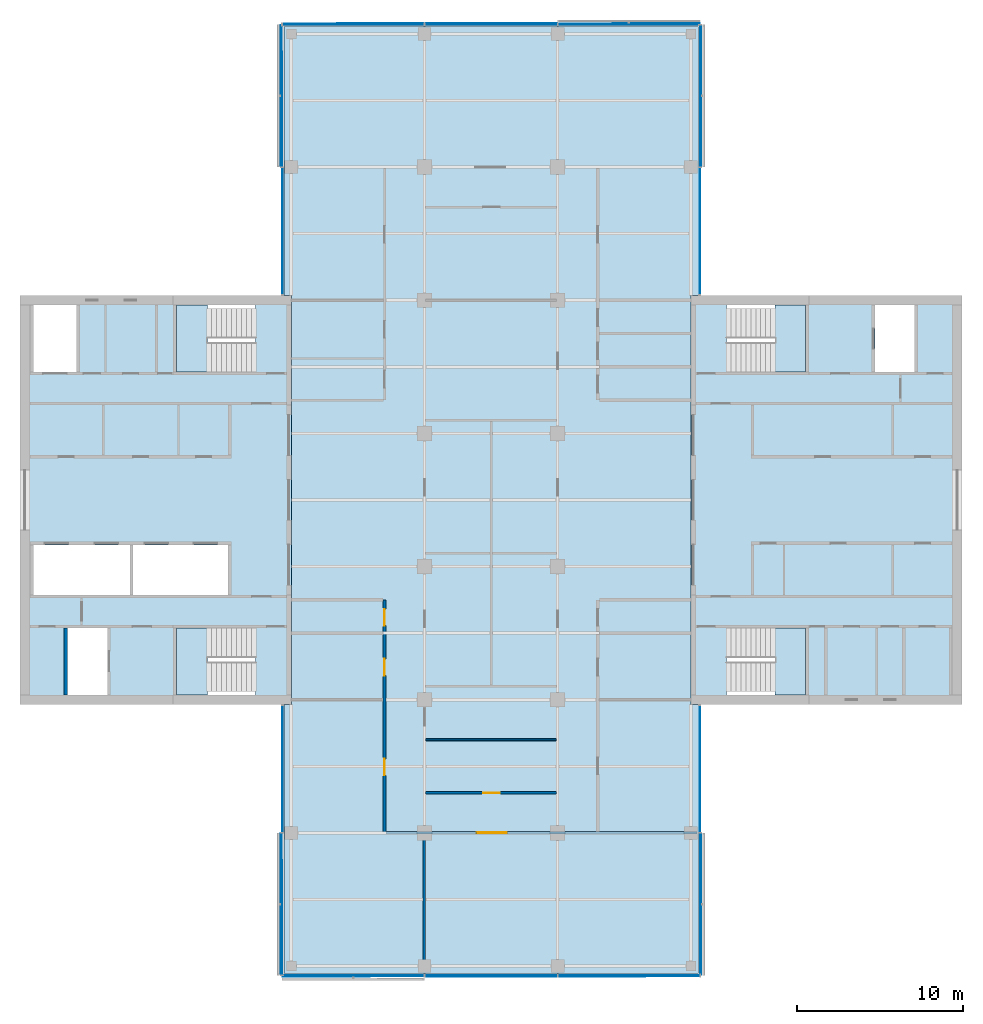
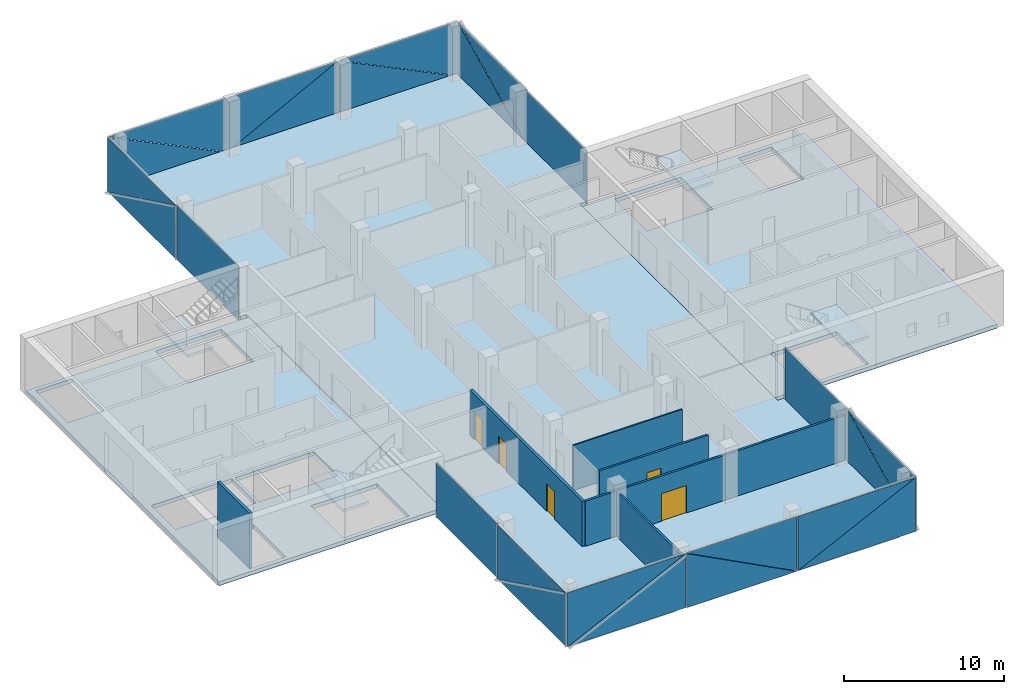
# One storey, part 8 of 16: 24 plates, 7 slabs, 6 walls, 5 doors, 5 openings, 14 elements without a shape of their own.
"""IFC4 building model written with IfcOpenShell, lengths in metres."""

from ifc_helpers import new_model, si_unit, direction, frame, frame_2d, origin, place, context, subcontext, project, spatial, polyline, rectangle, outline, extrude, material, layer, layer_set, type_object, element, fill, aggregate, save


model = new_model("IFC4")

# Units and contexts
model_context = context("Model", 3, precision=1e-05, world=origin(), true_north=direction((0.0, 1.0)))
body_context = subcontext(model_context, "Body", "Model", "MODEL_VIEW")
ifc_project = project(units=[si_unit("LENGTHUNIT", "METRE"), si_unit("AREAUNIT", "SQUARE_METRE"), si_unit("VOLUMEUNIT", "CUBIC_METRE"), si_unit("PLANEANGLEUNIT", "RADIAN"), si_unit("MASSUNIT", "GRAM", prefix="KILO")], contexts=[model_context])

# Site, building, storey
site_placement = place(None, origin())
site = spatial("IfcSite", under=ifc_project, at=site_placement, CompositionType="ELEMENT")
building_placement = place(site_placement, origin())
building = spatial("IfcBuilding", under=site, at=building_placement, Name="Crosswind Convention Tower", CompositionType="ELEMENT")
storey_placement = place(building_placement, frame((0.0, 0.0, 208.300048828125)))
storey = spatial("IfcBuildingStorey", under=building, at=storey_placement, Name="L44", CompositionType="ELEMENT", Elevation=208.300048828125)

# Slabs
ifc_material_1 = material(Name="Concrete C40/50", Category="concrete")
ifc_layer_1 = layer(ifc_material_1, 0.300048828125)
ifc_layer_set_1 = layer_set([ifc_layer_1], Name="Concrete C40/50")
slab_type_1 = type_object("IfcSlabType", Name="Composite floor slab 300", PredefinedType="FLOOR", material=ifc_layer_set_1)
slab_1_placement = place(storey_placement, frame((0.0, 0.0, -0.300048828125)))
element("IfcSlab", 1, at=slab_1_placement, inside=storey, type_object=slab_type_1, Name="Floor slab L44", PredefinedType="FLOOR", context=body_context, shape_type="SweptSolid", body=[
    extrude(outline(polyline([(137.449951171875, 71.550048828125), (137.0, 71.550048828125), (113.0, 71.550048828125), (112.550048828125, 71.550048828125), (112.550048828125, 72.0), (112.550048828125, 87.699951171875), (113.0, 87.699951171875), (113.0, 112.300048828125), (112.550048828125, 112.300048828125), (112.550048828125, 128.0), (112.550048828125, 128.449951171875), (113.0, 128.449951171875), (137.0, 128.449951171875), (137.449951171875, 128.449951171875), (137.449951171875, 128.0), (137.449951171875, 112.300048828125), (137.0, 112.300048828125), (137.0, 87.699951171875), (137.449951171875, 87.699951171875), (137.449951171875, 72.0), (137.449951171875, 71.550048828125)])), origin(), (0.0, 0.0, 1.0), 0.300048828125),
])
ifc_layer_2 = layer(ifc_material_1, 0.300048828125)
ifc_layer_set_2 = layer_set([ifc_layer_2], Name="Concrete C40/50")
slab_type_2 = type_object("IfcSlabType", Name="Concrete core floor slab 300", PredefinedType="FLOOR", material=ifc_layer_set_2)
slab_2_placement = place(storey_placement, frame((0.0, 0.0, -0.300048828125)))
element("IfcSlab", 2, at=slab_2_placement, inside=storey, type_object=slab_type_2, Name="Core floor slab E L44", PredefinedType="FLOOR", context=body_context, shape_type="SweptSolid", body=[
    extrude(outline(polyline([(137.0, 88.0), (153.0, 88.0), (153.0, 112.0), (137.0, 112.0), (137.0, 88.0)]), holes=[polyline([(150.449951171875, 107.699951171875), (150.449951171875, 111.699951171875), (148.050048828125, 111.699951171875), (148.050048828125, 107.699951171875), (150.449951171875, 107.699951171875)]), polyline([(143.89990234375, 107.699951171875), (143.89990234375, 111.699951171875), (139.14990234375, 111.699951171875), (139.14990234375, 107.699951171875), (143.89990234375, 107.699951171875)]), polyline([(143.89990234375, 88.300048828125), (143.89990234375, 92.300048828125), (139.14990234375, 92.300048828125), (139.14990234375, 88.300048828125), (143.89990234375, 88.300048828125)])]), origin(), (0.0, 0.0, 1.0), 0.300048828125),
])
slab_3_placement = place(storey_placement, frame((0.0, 0.0, -0.300048828125)))
element("IfcSlab", 3, at=slab_3_placement, inside=storey, type_object=slab_type_2, Name="Core floor slab W L44", PredefinedType="FLOOR", context=body_context, shape_type="SweptSolid", body=[
    extrude(outline(polyline([(97.0, 88.0), (113.0, 88.0), (113.0, 112.0), (97.0, 112.0), (97.0, 88.0)]), holes=[polyline([(109.199951171875, 94.300048828125), (109.199951171875, 97.300048828125), (103.5, 97.300048828125), (103.5, 94.300048828125), (109.199951171875, 94.300048828125)]), polyline([(103.300048828125, 94.300048828125), (103.300048828125, 97.300048828125), (97.5, 97.300048828125), (97.5, 94.300048828125), (103.300048828125, 94.300048828125)]), polyline([(101.949951171875, 88.300048828125), (101.949951171875, 92.300048828125), (99.550048828125, 92.300048828125), (99.550048828125, 88.300048828125), (101.949951171875, 88.300048828125)]), polyline([(100.10009765625, 107.699951171875), (100.10009765625, 111.699951171875), (97.5, 111.699951171875), (97.5, 107.699951171875), (100.10009765625, 107.699951171875)]), polyline([(110.85009765625, 88.300048828125), (110.85009765625, 92.300048828125), (106.10009765625, 92.300048828125), (106.10009765625, 88.300048828125), (110.85009765625, 88.300048828125)]), polyline([(110.85009765625, 107.699951171875), (110.85009765625, 111.699951171875), (106.10009765625, 111.699951171875), (106.10009765625, 107.699951171875), (110.85009765625, 107.699951171875)])]), origin(), (0.0, 0.0, 1.0), 0.300048828125),
])

# Stair, slab
stair_type = type_object("IfcStairType", Name="Exit stair 1800 wide, 2 flights of 11 risers", PredefinedType="HALF_TURN_STAIR", material=ifc_material_1)
stair_1_placement = place(storey_placement, origin())
stair_1 = element("IfcStair", 4, at=stair_1_placement, inside=storey, type_object=stair_type, Name="Exit stair ST1 L44", ObjectType="ST5", PredefinedType="HALF_TURN_STAIR")
ifc_layer_3 = layer(ifc_material_1, 0.199951171875)
ifc_layer_set_3 = layer_set([ifc_layer_3], Name="Concrete C40/50")
slab_type_3 = type_object("IfcSlabType", Name="Stair landing 200", PredefinedType="LANDING", material=ifc_layer_set_3)
slab_4_placement = place(storey_placement, frame((0.0, 0.0, 1.89990234375)))
slab_4 = element("IfcSlab", 5, at=slab_4_placement, type_object=slab_type_3, Name="ST1 landing 1", PredefinedType="LANDING", context=body_context, shape_type="SweptSolid", body=[
    extrude(outline(polyline([(143.89990234375, 107.699951171875), (143.89990234375, 111.699951171875), (142.050048828125, 111.699951171875), (142.050048828125, 107.699951171875), (143.89990234375, 107.699951171875)])), origin(), (0.0, 0.0, 1.0), 0.199951171875),
])
aggregate(stair_1, [slab_4])

stair_2_placement = place(storey_placement, origin())
stair_2 = element("IfcStair", 6, at=stair_2_placement, inside=storey, type_object=stair_type, Name="Exit stair ST2 L44", ObjectType="ST5", PredefinedType="HALF_TURN_STAIR")
slab_5_placement = place(storey_placement, frame((0.0, 0.0, 1.89990234375)))
slab_5 = element("IfcSlab", 7, at=slab_5_placement, type_object=slab_type_3, Name="ST2 landing 1", PredefinedType="LANDING", context=body_context, shape_type="SweptSolid", body=[
    extrude(outline(polyline([(143.89990234375, 88.300048828125), (143.89990234375, 92.300048828125), (142.050048828125, 92.300048828125), (142.050048828125, 88.300048828125), (143.89990234375, 88.300048828125)])), origin(), (0.0, 0.0, 1.0), 0.199951171875),
])
aggregate(stair_2, [slab_5])

stair_3_placement = place(storey_placement, origin())
stair_3 = element("IfcStair", 8, at=stair_3_placement, inside=storey, type_object=stair_type, Name="Exit stair ST3 L44", ObjectType="ST5", PredefinedType="HALF_TURN_STAIR")
slab_6_placement = place(storey_placement, frame((0.0, 0.0, 1.89990234375)))
slab_6 = element("IfcSlab", 9, at=slab_6_placement, type_object=slab_type_3, Name="ST3 landing 1", PredefinedType="LANDING", context=body_context, shape_type="SweptSolid", body=[
    extrude(outline(polyline([(107.949951171875, 88.300048828125), (107.949951171875, 92.300048828125), (106.10009765625, 92.300048828125), (106.10009765625, 88.300048828125), (107.949951171875, 88.300048828125)])), origin(), (0.0, 0.0, 1.0), 0.199951171875),
])
aggregate(stair_3, [slab_6])

stair_4_placement = place(storey_placement, origin())
stair_4 = element("IfcStair", 10, at=stair_4_placement, inside=storey, type_object=stair_type, Name="Exit stair ST4 L44", ObjectType="ST5", PredefinedType="HALF_TURN_STAIR")
slab_7_placement = place(storey_placement, frame((0.0, 0.0, 1.89990234375)))
slab_7 = element("IfcSlab", 11, at=slab_7_placement, type_object=slab_type_3, Name="ST4 landing 1", PredefinedType="LANDING", context=body_context, shape_type="SweptSolid", body=[
    extrude(outline(polyline([(107.949951171875, 107.699951171875), (107.949951171875, 111.699951171875), (106.10009765625, 111.699951171875), (106.10009765625, 107.699951171875), (107.949951171875, 107.699951171875)])), origin(), (0.0, 0.0, 1.0), 0.199951171875),
])
aggregate(stair_4, [slab_7])

# Curtain wall, plate
ifc_material_2 = material(Name="Aluminium unitised curtain wall", Category="aluminium")
curtain_wall_type_1 = type_object("IfcCurtainWallType", Name="CORE END SLOT WALL 160", PredefinedType="USERDEFINED", material=ifc_material_2)
curtain_wall_1_placement = place(storey_placement, origin())
curtain_wall_1 = element("IfcCurtainWall", 12, at=curtain_wall_1_placement, inside=storey, type_object=curtain_wall_type_1, Name="CW6 L44 N-E.1-1 slot", ObjectType="UNITISED", PredefinedType="USERDEFINED")
ifc_material_3 = material(Name="Laminated insulating glass unit", Category="glass")
ifc_layer_4 = layer(ifc_material_3, 0.02587890625)
ifc_layer_set_4 = layer_set([ifc_layer_4], Name="TRIANGULAR GLASS PANEL 26")
plate_type_1 = type_object("IfcPlateType", Name="TRIANGULAR GLASS PANEL 26", PredefinedType="CURTAIN_PANEL", material=ifc_layer_set_4)
plate_1_placement = place(storey_placement, frame((137.556884765625, 112.35009765625, -0.300048828125), z_axis=(0.999999915205, 0.0, 0.00041181312), x_axis=(0.0, 1.0, 0.0)))
plate_1 = element("IfcPlate", 13, at=plate_1_placement, type_object=plate_type_1, Name="CW6 panel 1.1", PredefinedType="CURTAIN_PANEL", context=body_context, shape_type="SweptSolid", body=[
    extrude(outline(polyline([(0.0, 0.0), (7.599853515625, 0.0), (7.599853515625, 4.149902695641109), (0.0, 4.149902695641109), (0.0, 0.0)])), origin(), (0.0, 0.0, -1.0), 0.02587890625),
])
aggregate(curtain_wall_1, [plate_1])

curtain_wall_2_placement = place(storey_placement, origin())
curtain_wall_2 = element("IfcCurtainWall", 14, at=curtain_wall_2_placement, inside=storey, type_object=curtain_wall_type_1, Name="CW6 L44 N-W.1-2 slot", ObjectType="UNITISED", PredefinedType="USERDEFINED")
plate_2_placement = place(storey_placement, frame((112.443115234375, 119.949951171875, -0.300048828125), z_axis=(-0.999999915205, 0.0, 0.00041181312), x_axis=(0.0, -1.0, 0.0)))
plate_2 = element("IfcPlate", 15, at=plate_2_placement, type_object=plate_type_1, Name="CW6 panel 1.1", PredefinedType="CURTAIN_PANEL", context=body_context, shape_type="SweptSolid", body=[
    extrude(outline(polyline([(0.0, 0.0), (7.599853515625, 0.0), (7.599853515625, 4.149902695641109), (0.0, 4.149902695641109), (0.0, 0.0)])), origin(), (0.0, 0.0, -1.0), 0.02587890625),
])
aggregate(curtain_wall_2, [plate_2])

curtain_wall_3_placement = place(storey_placement, origin())
curtain_wall_3 = element("IfcCurtainWall", 16, at=curtain_wall_3_placement, inside=storey, type_object=curtain_wall_type_1, Name="CW6 L44 S-W.1-1 slot", ObjectType="UNITISED", PredefinedType="USERDEFINED")
plate_3_placement = place(storey_placement, frame((112.443115234375, 87.64990234375, -0.300048828125), z_axis=(-0.999999915205, 0.0, 0.00041181312), x_axis=(0.0, -1.0, 0.0)))
plate_3 = element("IfcPlate", 17, at=plate_3_placement, type_object=plate_type_1, Name="CW6 panel 1.1", PredefinedType="CURTAIN_PANEL", context=body_context, shape_type="SweptSolid", body=[
    extrude(outline(polyline([(0.0, 0.0), (7.599853515625, 0.0), (7.599853515625, 4.149902695641109), (0.0, 4.149902695641109), (0.0, 0.0)])), origin(), (0.0, 0.0, -1.0), 0.02587890625),
])
aggregate(curtain_wall_3, [plate_3])

curtain_wall_4_placement = place(storey_placement, origin())
curtain_wall_4 = element("IfcCurtainWall", 18, at=curtain_wall_4_placement, inside=storey, type_object=curtain_wall_type_1, Name="CW6 L44 S-E.1-2 slot", ObjectType="UNITISED", PredefinedType="USERDEFINED")
plate_4_placement = place(storey_placement, frame((137.556884765625, 80.050048828125, -0.300048828125), z_axis=(0.999999915205, 0.0, 0.00041181312), x_axis=(0.0, 1.0, 0.0)))
plate_4 = element("IfcPlate", 19, at=plate_4_placement, type_object=plate_type_1, Name="CW6 panel 1.1", PredefinedType="CURTAIN_PANEL", context=body_context, shape_type="SweptSolid", body=[
    extrude(outline(polyline([(0.0, 0.0), (7.599853515625, 0.0), (7.599853515625, 4.149902695641109), (0.0, 4.149902695641109), (0.0, 0.0)])), origin(), (0.0, 0.0, -1.0), 0.02587890625),
])
aggregate(curtain_wall_4, [plate_4])

# Curtain wall, plates
curtain_wall_type_2 = type_object("IfcCurtainWallType", Name="OFFICE UNITISED WALL 220", PredefinedType="USERDEFINED", material=ifc_material_2)
curtain_wall_5_placement = place(storey_placement, origin())
curtain_wall_5 = element("IfcCurtainWall", 20, at=curtain_wall_5_placement, inside=storey, type_object=curtain_wall_type_2, Name="CW3 L44 N-E 1", ObjectType="UNITISED", PredefinedType="USERDEFINED")
ifc_layer_5 = layer(ifc_material_3, 0.031982421875)
ifc_layer_set_5 = layer_set([ifc_layer_5], Name="TRIANGULAR GLASS PANEL 32")
plate_type_2 = type_object("IfcPlateType", Name="TRIANGULAR GLASS PANEL 32", PredefinedType="CURTAIN_PANEL", material=ifc_layer_set_5)
plate_5_placement = place(storey_placement, frame((137.5927734375, 128.52490234375, -0.300048828125), z_axis=(0.999999913924, 0.0, 0.000414913129), x_axis=(-0.000414913129, 0.0, 0.999999913924)))
plate_5 = element("IfcPlate", 21, at=plate_5_placement, type_object=plate_type_2, Name="CW3 panel 1.1", PredefinedType="CURTAIN_PANEL", context=body_context, shape_type="SweptSolid", body=[
    extrude(outline(polyline([(0.0, 0.0), (4.118896838915043, 0.0), (0.0, 8.467041015624998), (0.0, 0.0)])), origin(), (0.0, 0.0, -1.0), 0.031982421875),
])
plate_6_placement = place(storey_placement, frame((137.625244140625, 120.034912109375, 3.829833984375), z_axis=(0.999999936753, 0.0, 0.000355660914), x_axis=(0.000355660914, 0.0, -0.999999936753)))
plate_6 = element("IfcPlate", 22, at=plate_6_placement, type_object=plate_type_2, Name="CW3 panel 1.2", PredefinedType="CURTAIN_PANEL", context=body_context, shape_type="SweptSolid", body=[
    extrude(outline(polyline([(0.0, 0.0), (4.1186526042438425, 0.0), (0.0, 8.467285156250002), (0.0, 0.0)])), origin(), (0.0, 0.0, -1.0), 0.031982421875),
])
aggregate(curtain_wall_5, [plate_5, plate_6])

curtain_wall_6_placement = place(storey_placement, origin())
curtain_wall_6 = element("IfcCurtainWall", 23, at=curtain_wall_6_placement, inside=storey, type_object=curtain_wall_type_2, Name="CW3 L44 N-TIP 1", ObjectType="UNITISED", PredefinedType="USERDEFINED")
plate_7_placement = place(storey_placement, frame((129.034912109375, 128.5927734375, -0.300048828125), z_axis=(0.0, 0.999999913924, 0.000414913129), x_axis=(0.0, -0.000414913129, 0.999999913924)))
plate_7 = element("IfcPlate", 24, at=plate_7_placement, type_object=plate_type_2, Name="CW3 panel 1.1", PredefinedType="CURTAIN_PANEL", context=body_context, shape_type="SweptSolid", body=[
    extrude(outline(polyline([(0.0, 0.0), (4.118896838915043, 0.0), (0.0, 8.467285156249998), (0.0, 0.0)])), origin(), (0.0, 0.0, -1.0), 0.031982421875),
])
plate_8_placement = place(storey_placement, frame((137.52490234375, 128.625244140625, 3.829833984375), z_axis=(0.0, 0.999999936753, 0.000355660914), x_axis=(0.0, 0.000355660914, -0.999999936753)))
plate_8 = element("IfcPlate", 25, at=plate_8_placement, type_object=plate_type_2, Name="CW3 panel 1.2", PredefinedType="CURTAIN_PANEL", context=body_context, shape_type="SweptSolid", body=[
    extrude(outline(polyline([(0.0, 0.0), (4.1186526042438425, 0.0), (0.0, 8.467041015625), (0.0, 0.0)])), origin(), (0.0, 0.0, -1.0), 0.031982421875),
])
plate_9_placement = place(storey_placement, frame((121.034912109375, 128.591064453125, 3.829833984375), z_axis=(0.0, 0.999999913913, 0.000414937724), x_axis=(1.0, 0.0, 0.0)))
plate_9 = element("IfcPlate", 26, at=plate_9_placement, type_object=plate_type_2, Name="CW3 panel 2.1", PredefinedType="CURTAIN_PANEL", context=body_context, shape_type="SweptSolid", body=[
    extrude(outline(polyline([(0.0, 0.0), (7.908447265625, 0.0), (0.0, 4.118652698311059), (0.0, 0.0)])), origin(), (0.0, 0.0, -1.0), 0.031982421875),
])
plate_10_placement = place(storey_placement, frame((128.965087890625, 128.626708984375, -0.300048828125), z_axis=(0.0, 0.999999936753, 0.000355660914), x_axis=(-1.0, 0.0, 0.0)))
plate_10 = element("IfcPlate", 27, at=plate_10_placement, type_object=plate_type_2, Name="CW3 panel 2.2", PredefinedType="CURTAIN_PANEL", context=body_context, shape_type="SweptSolid", body=[
    extrude(outline(polyline([(0.0, 0.0), (7.908447265625, 0.0), (0.0, 4.118652604243842), (0.0, 0.0)])), origin(), (0.0, 0.0, -1.0), 0.031982421875),
])
plate_11_placement = place(storey_placement, frame((112.47509765625, 128.5927734375, -0.300048828125), z_axis=(0.0, 0.999999913924, 0.000414913129), x_axis=(0.0, -0.000414913129, 0.999999913924)))
plate_11 = element("IfcPlate", 28, at=plate_11_placement, type_object=plate_type_2, Name="CW3 panel 3.1", PredefinedType="CURTAIN_PANEL", context=body_context, shape_type="SweptSolid", body=[
    extrude(outline(polyline([(0.0, 0.0), (4.118896838915043, 0.0), (0.0, 8.467041015624998), (0.0, 0.0)])), origin(), (0.0, 0.0, -1.0), 0.031982421875),
])
plate_12_placement = place(storey_placement, frame((120.965087890625, 128.625244140625, 3.829833984375), z_axis=(0.0, 0.999999936753, 0.000355660914), x_axis=(0.0, 0.000355660914, -0.999999936753)))
plate_12 = element("IfcPlate", 29, at=plate_12_placement, type_object=plate_type_2, Name="CW3 panel 3.2", PredefinedType="CURTAIN_PANEL", context=body_context, shape_type="SweptSolid", body=[
    extrude(outline(polyline([(0.0, 0.0), (4.1186526042438425, 0.0), (0.0, 8.467285156250002), (0.0, 0.0)])), origin(), (0.0, 0.0, -1.0), 0.031982421875),
])
aggregate(curtain_wall_6, [plate_7, plate_8, plate_9, plate_10, plate_11, plate_12])

curtain_wall_7_placement = place(storey_placement, origin())
curtain_wall_7 = element("IfcCurtainWall", 30, at=curtain_wall_7_placement, inside=storey, type_object=curtain_wall_type_2, Name="CW3 L44 N-W 1", ObjectType="UNITISED", PredefinedType="USERDEFINED")
plate_13_placement = place(storey_placement, frame((112.4072265625, 120.034912109375, -0.300048828125), z_axis=(-0.999999913924, 0.0, 0.000414913129), x_axis=(0.000414913129, 0.0, 0.999999913924)))
plate_13 = element("IfcPlate", 31, at=plate_13_placement, type_object=plate_type_2, Name="CW3 panel 1.1", PredefinedType="CURTAIN_PANEL", context=body_context, shape_type="SweptSolid", body=[
    extrude(outline(polyline([(0.0, 0.0), (4.118896838915043, 0.0), (0.0, 8.467285156249998), (0.0, 0.0)])), origin(), (0.0, 0.0, -1.0), 0.031982421875),
])
plate_14_placement = place(storey_placement, frame((112.374755859375, 128.52490234375, 3.829833984375), z_axis=(-0.999999936753, 0.0, 0.000355660914), x_axis=(-0.000355660914, 0.0, -0.999999936753)))
plate_14 = element("IfcPlate", 32, at=plate_14_placement, type_object=plate_type_2, Name="CW3 panel 1.2", PredefinedType="CURTAIN_PANEL", context=body_context, shape_type="SweptSolid", body=[
    extrude(outline(polyline([(0.0, 0.0), (4.1186526042438425, 0.0), (0.0, 8.467041015625), (0.0, 0.0)])), origin(), (0.0, 0.0, -1.0), 0.031982421875),
])
aggregate(curtain_wall_7, [plate_13, plate_14])

curtain_wall_8_placement = place(storey_placement, origin())
curtain_wall_8 = element("IfcCurtainWall", 33, at=curtain_wall_8_placement, inside=storey, type_object=curtain_wall_type_2, Name="CW3 L44 S-W 1", ObjectType="UNITISED", PredefinedType="USERDEFINED")
plate_15_placement = place(storey_placement, frame((112.4072265625, 71.47509765625, -0.300048828125), z_axis=(-0.999999913924, 0.0, 0.000414913129), x_axis=(0.000414913129, 0.0, 0.999999913924)))
plate_15 = element("IfcPlate", 34, at=plate_15_placement, type_object=plate_type_2, Name="CW3 panel 1.1", PredefinedType="CURTAIN_PANEL", context=body_context, shape_type="SweptSolid", body=[
    extrude(outline(polyline([(0.0, 0.0), (4.118896838915043, 0.0), (0.0, 8.467041015624998), (0.0, 0.0)])), origin(), (0.0, 0.0, -1.0), 0.031982421875),
])
plate_16_placement = place(storey_placement, frame((112.374755859375, 79.965087890625, 3.829833984375), z_axis=(-0.999999936753, 0.0, 0.000355660914), x_axis=(-0.000355660914, 0.0, -0.999999936753)))
plate_16 = element("IfcPlate", 35, at=plate_16_placement, type_object=plate_type_2, Name="CW3 panel 1.2", PredefinedType="CURTAIN_PANEL", context=body_context, shape_type="SweptSolid", body=[
    extrude(outline(polyline([(0.0, 0.0), (4.1186526042438425, 0.0), (0.0, 8.467285156250002), (0.0, 0.0)])), origin(), (0.0, 0.0, -1.0), 0.031982421875),
])
aggregate(curtain_wall_8, [plate_15, plate_16])

curtain_wall_9_placement = place(storey_placement, origin())
curtain_wall_9 = element("IfcCurtainWall", 36, at=curtain_wall_9_placement, inside=storey, type_object=curtain_wall_type_2, Name="CW3 L44 S-TIP 1", ObjectType="UNITISED", PredefinedType="USERDEFINED")
plate_17_placement = place(storey_placement, frame((120.965087890625, 71.4072265625, -0.300048828125), z_axis=(0.0, -0.999999913924, 0.000414913129), x_axis=(0.0, 0.000414913129, 0.999999913924)))
plate_17 = element("IfcPlate", 37, at=plate_17_placement, type_object=plate_type_2, Name="CW3 panel 1.1", PredefinedType="CURTAIN_PANEL", context=body_context, shape_type="SweptSolid", body=[
    extrude(outline(polyline([(0.0, 0.0), (4.118896838915043, 0.0), (0.0, 8.467285156249998), (0.0, 0.0)])), origin(), (0.0, 0.0, -1.0), 0.031982421875),
])
plate_18_placement = place(storey_placement, frame((112.47509765625, 71.374755859375, 3.829833984375), z_axis=(0.0, -0.999999936753, 0.000355660914), x_axis=(0.0, -0.000355660914, -0.999999936753)))
plate_18 = element("IfcPlate", 38, at=plate_18_placement, type_object=plate_type_2, Name="CW3 panel 1.2", PredefinedType="CURTAIN_PANEL", context=body_context, shape_type="SweptSolid", body=[
    extrude(outline(polyline([(0.0, 0.0), (4.1186526042438425, 0.0), (0.0, 8.467041015625), (0.0, 0.0)])), origin(), (0.0, 0.0, -1.0), 0.031982421875),
])
plate_19_placement = place(storey_placement, frame((128.965087890625, 71.408935546875, 3.829833984375), z_axis=(0.0, -0.999999913913, 0.000414937724), x_axis=(-1.0, 0.0, 0.0)))
plate_19 = element("IfcPlate", 39, at=plate_19_placement, type_object=plate_type_2, Name="CW3 panel 2.1", PredefinedType="CURTAIN_PANEL", context=body_context, shape_type="SweptSolid", body=[
    extrude(outline(polyline([(0.0, 0.0), (7.908447265625, 0.0), (0.0, 4.118652698311059), (0.0, 0.0)])), origin(), (0.0, 0.0, -1.0), 0.031982421875),
])
plate_20_placement = place(storey_placement, frame((121.034912109375, 71.373291015625, -0.300048828125), z_axis=(0.0, -0.999999936753, 0.000355660914), x_axis=(1.0, 0.0, 0.0)))
plate_20 = element("IfcPlate", 40, at=plate_20_placement, type_object=plate_type_2, Name="CW3 panel 2.2", PredefinedType="CURTAIN_PANEL", context=body_context, shape_type="SweptSolid", body=[
    extrude(outline(polyline([(0.0, 0.0), (7.908447265625, 0.0), (0.0, 4.118652604243842), (0.0, 0.0)])), origin(), (0.0, 0.0, -1.0), 0.031982421875),
])
plate_21_placement = place(storey_placement, frame((137.52490234375, 71.4072265625, -0.300048828125), z_axis=(0.0, -0.999999913924, 0.000414913129), x_axis=(0.0, 0.000414913129, 0.999999913924)))
plate_21 = element("IfcPlate", 41, at=plate_21_placement, type_object=plate_type_2, Name="CW3 panel 3.1", PredefinedType="CURTAIN_PANEL", context=body_context, shape_type="SweptSolid", body=[
    extrude(outline(polyline([(0.0, 0.0), (4.118896838915043, 0.0), (0.0, 8.467041015624998), (0.0, 0.0)])), origin(), (0.0, 0.0, -1.0), 0.031982421875),
])
plate_22_placement = place(storey_placement, frame((129.034912109375, 71.374755859375, 3.829833984375), z_axis=(0.0, -0.999999936753, 0.000355660914), x_axis=(0.0, -0.000355660914, -0.999999936753)))
plate_22 = element("IfcPlate", 42, at=plate_22_placement, type_object=plate_type_2, Name="CW3 panel 3.2", PredefinedType="CURTAIN_PANEL", context=body_context, shape_type="SweptSolid", body=[
    extrude(outline(polyline([(0.0, 0.0), (4.1186526042438425, 0.0), (0.0, 8.467285156250002), (0.0, 0.0)])), origin(), (0.0, 0.0, -1.0), 0.031982421875),
])
aggregate(curtain_wall_9, [plate_17, plate_18, plate_19, plate_20, plate_21, plate_22])

curtain_wall_10_placement = place(storey_placement, origin())
curtain_wall_10 = element("IfcCurtainWall", 43, at=curtain_wall_10_placement, inside=storey, type_object=curtain_wall_type_2, Name="CW3 L44 S-E 1", ObjectType="UNITISED", PredefinedType="USERDEFINED")
plate_23_placement = place(storey_placement, frame((137.5927734375, 79.965087890625, -0.300048828125), z_axis=(0.999999913924, 0.0, 0.000414913129), x_axis=(-0.000414913129, 0.0, 0.999999913924)))
plate_23 = element("IfcPlate", 44, at=plate_23_placement, type_object=plate_type_2, Name="CW3 panel 1.1", PredefinedType="CURTAIN_PANEL", context=body_context, shape_type="SweptSolid", body=[
    extrude(outline(polyline([(0.0, 0.0), (4.118896838915043, 0.0), (0.0, 8.467285156249998), (0.0, 0.0)])), origin(), (0.0, 0.0, -1.0), 0.031982421875),
])
plate_24_placement = place(storey_placement, frame((137.625244140625, 71.47509765625, 3.829833984375), z_axis=(0.999999936753, 0.0, 0.000355660914), x_axis=(0.000355660914, 0.0, -0.999999936753)))
plate_24 = element("IfcPlate", 45, at=plate_24_placement, type_object=plate_type_2, Name="CW3 panel 1.2", PredefinedType="CURTAIN_PANEL", context=body_context, shape_type="SweptSolid", body=[
    extrude(outline(polyline([(0.0, 0.0), (4.1186526042438425, 0.0), (0.0, 8.467041015625), (0.0, 0.0)])), origin(), (0.0, 0.0, -1.0), 0.031982421875),
])
aggregate(curtain_wall_10, [plate_23, plate_24])

# Wall, openings, doors
ifc_material_4 = material(Name="Concrete blockwork", Category="masonry")
ifc_layer_6 = layer(ifc_material_4, 0.199951171875)
ifc_layer_set_6 = layer_set([ifc_layer_6], Name="COMPARTMENT WALL 200 BLOCKWORK")
wall_type_1 = type_object("IfcWallType", Name="COMPARTMENT WALL 200 BLOCKWORK", PredefinedType="SOLIDWALL", material=ifc_layer_set_6)
wall_1_placement = place(storey_placement, frame((118.60009765625, 80.0, 0.0), z_axis=(0.0, 0.0, 1.0), x_axis=(0.0, 1.0, 0.0)))
wall_1 = element("IfcWall", 46, at=wall_1_placement, inside=storey, type_object=wall_type_1, Name="Compartment wall WT42", PredefinedType="SOLIDWALL", context=body_context, shape_type="SweptSolid", body=[
    extrude(rectangle(XDim=14.0, YDim=0.199951171875, at=frame_2d((7.0, 0.0))), origin(), (0.0, 0.0, 1.0), 3.439697265625),
])
opening_1_placement = place(wall_1_placement, frame((12.449951171875, 0.0, 0.0)))
opening_1 = element("IfcOpeningElement", 47, at=opening_1_placement, cuts=wall_1, Name="Opening L44-60", PredefinedType="OPENING", context=body_context, shape_type="SweptSolid", body=[
    extrude(rectangle(XDim=1.0, YDim=2.10009765625, at=frame_2d((0.5, 1.050048828125))), frame((0.0, 0.10986328125, 0.0), z_axis=(0.0, -1.0, 0.0), x_axis=(1.0, 0.0, 0.0)), (0.0, 0.0, 1.0), 0.219970703125),
])
opening_2_placement = place(wall_1_placement, frame((9.449951171875, 0.0, 0.0)))
opening_2 = element("IfcOpeningElement", 48, at=opening_2_placement, cuts=wall_1, Name="Opening L44-61", PredefinedType="OPENING", context=body_context, shape_type="SweptSolid", body=[
    extrude(rectangle(XDim=1.0, YDim=2.10009765625, at=frame_2d((0.5, 1.050048828125))), frame((0.0, 0.10986328125, 0.0), z_axis=(0.0, -1.0, 0.0), x_axis=(1.0, 0.0, 0.0)), (0.0, 0.0, 1.0), 0.219970703125),
])
opening_3_placement = place(wall_1_placement, frame((3.449951171875, 0.0, 0.0)))
opening_3 = element("IfcOpeningElement", 49, at=opening_3_placement, cuts=wall_1, Name="Opening L44-62", PredefinedType="OPENING", context=body_context, shape_type="SweptSolid", body=[
    extrude(rectangle(XDim=1.0, YDim=2.10009765625, at=frame_2d((0.5, 1.050048828125))), frame((0.0, 0.10986328125, 0.0), z_axis=(0.0, -1.0, 0.0), x_axis=(1.0, 0.0, 0.0)), (0.0, 0.0, 1.0), 0.219970703125),
])
ifc_material_5 = material(Name="Steel fire door", Category="steel")
door_type_1 = type_object("IfcDoorType", Name="PLANT ROOM DOOR 1000X2100 FD60", OperationType="NOTDEFINED", PredefinedType="DOOR", material=ifc_material_5)
door_1_placement = place(opening_1_placement, origin())
door_1 = element("IfcDoor", 50, at=door_1_placement, inside=storey, type_object=door_type_1, Name="Door L44-60", ObjectType="D43", OperationType="SINGLE_SWING_LEFT", OverallHeight=2.10009765625, OverallWidth=1.0, PredefinedType="DOOR", context=body_context, shape_type="SweptSolid", body=[
    extrude(rectangle(XDim=1.0, YDim=2.10009765625, at=frame_2d((0.5, 1.050048828125))), frame((0.0, 0.02490234375, 0.0), z_axis=(0.0, -1.0, 0.0), x_axis=(1.0, 0.0, 0.0)), (0.0, 0.0, 1.0), 0.050048828125),
])
fill(opening_1, door_1)
ifc_material_6 = material(Name="Timber fire door", Category="wood")
door_type_2 = type_object("IfcDoorType", Name="TENANCY ENTRANCE DOOR 1000X2100 FD30S", OperationType="NOTDEFINED", PredefinedType="DOOR", material=ifc_material_6)
door_2_placement = place(opening_2_placement, origin())
door_2 = element("IfcDoor", 51, at=door_2_placement, inside=storey, type_object=door_type_2, Name="Door L44-61", ObjectType="D41", OperationType="SINGLE_SWING_RIGHT", OverallHeight=2.10009765625, OverallWidth=1.0, PredefinedType="DOOR", context=body_context, shape_type="SweptSolid", body=[
    extrude(rectangle(XDim=1.0, YDim=2.10009765625, at=frame_2d((0.5, 1.050048828125))), frame((0.0, 0.02490234375, 0.0), z_axis=(0.0, -1.0, 0.0), x_axis=(1.0, 0.0, 0.0)), (0.0, 0.0, 1.0), 0.050048828125),
])
fill(opening_2, door_2)
door_3_placement = place(opening_3_placement, origin())
door_3 = element("IfcDoor", 52, at=door_3_placement, inside=storey, type_object=door_type_2, Name="Door L44-62", ObjectType="D41", OperationType="SINGLE_SWING_RIGHT", OverallHeight=2.10009765625, OverallWidth=1.0, PredefinedType="DOOR", context=body_context, shape_type="SweptSolid", body=[
    extrude(rectangle(XDim=1.0, YDim=2.10009765625, at=frame_2d((0.5, 1.050048828125))), frame((0.0, 0.02490234375, 0.0), z_axis=(0.0, -1.0, 0.0), x_axis=(1.0, 0.0, 0.0)), (0.0, 0.0, 1.0), 0.050048828125),
])
fill(opening_3, door_3)

# Walls
ifc_material_7 = material(Name="Concrete C50/60", Category="concrete")
ifc_layer_7 = layer(ifc_material_7, 0.199951171875)
ifc_layer_set_7 = layer_set([ifc_layer_7], Name="Concrete C50/60")
wall_type_2 = type_object("IfcWallType", Name="Concrete shaft and stair wall 200", PredefinedType="SHEAR", material=ifc_layer_set_7)
wall_2_placement = place(storey_placement, frame((99.449951171875, 92.300048828125, 0.0), z_axis=(0.0, 0.0, 1.0), x_axis=(0.0, -1.0, 0.0)))
element("IfcWall", 53, at=wall_2_placement, inside=storey, type_object=wall_type_2, Name="Wall PFSE W L44", PredefinedType="SHEAR", context=body_context, shape_type="SweptSolid", body=[
    extrude(rectangle(XDim=4.0, YDim=0.199951171875, at=frame_2d((2.0, 0.0))), origin(), (0.0, 0.0, 1.0), 4.199951171875),
])
ifc_material_8 = material(Name="Plasterboard partition", Category="gypsum")
ifc_layer_8 = layer(ifc_material_8, 0.10009765625)
ifc_layer_set_8 = layer_set([ifc_layer_8], Name="PARTITION 100 METAL STUD")
wall_type_3 = type_object("IfcWallType", Name="PARTITION 100 METAL STUD", PredefinedType="PARTITIONING", material=ifc_layer_set_8)
wall_3_placement = place(storey_placement, frame((121.074951171875, 85.60009765625, 0.0), z_axis=(0.0, 0.0, 1.0), x_axis=(1.0, 0.0, 0.0)))
element("IfcWall", 54, at=wall_3_placement, inside=storey, type_object=wall_type_3, Name="Partition wall WT40", PredefinedType="PARTITIONING", context=body_context, shape_type="SweptSolid", body=[
    extrude(rectangle(XDim=7.85009765625, YDim=0.10009765625, at=frame_2d((3.925048828125, 0.0))), origin(), (0.0, 0.0, 1.0), 3.439697265625),
])
ifc_material_9 = material(Name="Fire-board partition with mineral wool", Category="gypsum")
ifc_layer_9 = layer(ifc_material_9, 0.14990234375)
ifc_layer_set_9 = layer_set([ifc_layer_9], Name="TENANCY WALL 150 TWO-HOUR BOARD")
wall_type_4 = type_object("IfcWallType", Name="TENANCY WALL 150 TWO-HOUR BOARD", PredefinedType="PARTITIONING", material=ifc_layer_set_9)
wall_4_placement = place(storey_placement, frame((121.0, 71.6298828125, 0.0), z_axis=(0.0, 0.0, 1.0), x_axis=(0.0, 1.0, 0.0)))
element("IfcWall", 55, at=wall_4_placement, inside=storey, type_object=wall_type_4, Name="Tenancy wall WT41", PredefinedType="PARTITIONING", context=body_context, shape_type="SweptSolid", body=[
    extrude(rectangle(XDim=8.295166015625, YDim=0.14990234375, at=frame_2d((4.1474609375, 0.0))), origin(), (0.0, 0.0, 1.0), 3.439697265625),
])

# Wall, opening, door
wall_5_placement = place(storey_placement, frame((118.699951171875, 80.0, 0.0), z_axis=(0.0, 0.0, 1.0), x_axis=(1.0, 0.0, 0.0)))
wall_5 = element("IfcWall", 56, at=wall_5_placement, inside=storey, type_object=wall_type_4, Name="Tenancy wall WT41", PredefinedType="PARTITIONING", context=body_context, shape_type="SweptSolid", body=[
    extrude(rectangle(XDim=18.670166015625, YDim=0.14990234375, at=frame_2d((9.3349609375, 0.0))), origin(), (0.0, 0.0, 1.0), 3.439697265625),
])
opening_4_placement = place(wall_5_placement, frame((5.449951171875, 0.0, 0.0)))
opening_4 = element("IfcOpeningElement", 57, at=opening_4_placement, cuts=wall_5, Name="Opening L44-64", PredefinedType="OPENING", context=body_context, shape_type="SweptSolid", body=[
    extrude(rectangle(XDim=1.800048828125, YDim=2.10009765625, at=frame_2d((0.89990234375, 1.050048828125))), frame((0.0, 0.0849609375, 0.0), z_axis=(0.0, -1.0, 0.0), x_axis=(1.0, 0.0, 0.0)), (0.0, 0.0, 1.0), 0.169921875),
])
door_type_3 = type_object("IfcDoorType", Name="TENANCY ENTRANCE DOUBLE DOOR 1800X2100 FD30S", OperationType="DOUBLE_DOOR_SINGLE_SWING", PredefinedType="DOOR", material=ifc_material_6)
door_4_placement = place(opening_4_placement, frame((1.800048828125, 0.0, 0.0), z_axis=(0.0, 0.0, 1.0), x_axis=(-1.0, 0.0, 0.0)))
door_4 = element("IfcDoor", 58, at=door_4_placement, inside=storey, type_object=door_type_3, Name="Door L44-64", ObjectType="D42", OperationType="DOUBLE_DOOR_SINGLE_SWING", OverallHeight=2.10009765625, OverallWidth=1.800048828125, PredefinedType="DOOR", context=body_context, shape_type="SweptSolid", body=[
    extrude(rectangle(XDim=1.800048828125, YDim=2.10009765625, at=frame_2d((0.89990234375, 1.050048828125))), frame((0.0, 0.02490234375, 0.0), z_axis=(0.0, -1.0, 0.0), x_axis=(1.0, 0.0, 0.0)), (0.0, 0.0, 1.0), 0.050048828125),
])
fill(opening_4, door_4)

wall_6_placement = place(storey_placement, frame((121.074951171875, 82.39990234375, 0.0), z_axis=(0.0, 0.0, 1.0), x_axis=(1.0, 0.0, 0.0)))
wall_6 = element("IfcWall", 59, at=wall_6_placement, inside=storey, type_object=wall_type_4, Name="Tenancy wall WT41", PredefinedType="PARTITIONING", context=body_context, shape_type="SweptSolid", body=[
    extrude(rectangle(XDim=7.85009765625, YDim=0.14990234375, at=frame_2d((3.925048828125, 0.0))), origin(), (0.0, 0.0, 1.0), 3.439697265625),
])
opening_5_placement = place(wall_6_placement, frame((3.449951171875, 0.0, 0.0)))
opening_5 = element("IfcOpeningElement", 60, at=opening_5_placement, cuts=wall_6, Name="Opening L44-65", PredefinedType="OPENING", context=body_context, shape_type="SweptSolid", body=[
    extrude(rectangle(XDim=1.0, YDim=2.10009765625, at=frame_2d((0.5, 1.050048828125))), frame((0.0, 0.0849609375, 0.0), z_axis=(0.0, -1.0, 0.0), x_axis=(1.0, 0.0, 0.0)), (0.0, 0.0, 1.0), 0.169921875),
])
door_5_placement = place(opening_5_placement, origin())
door_5 = element("IfcDoor", 61, at=door_5_placement, inside=storey, type_object=door_type_2, Name="Door L44-65", ObjectType="D41", OperationType="SINGLE_SWING_RIGHT", OverallHeight=2.10009765625, OverallWidth=1.0, PredefinedType="DOOR", context=body_context, shape_type="SweptSolid", body=[
    extrude(rectangle(XDim=1.0, YDim=2.10009765625, at=frame_2d((0.5, 1.050048828125))), frame((0.0, 0.02490234375, 0.0), z_axis=(0.0, -1.0, 0.0), x_axis=(1.0, 0.0, 0.0)), (0.0, 0.0, 1.0), 0.050048828125),
])
fill(opening_5, door_5)

save(model, "model.ifc")
